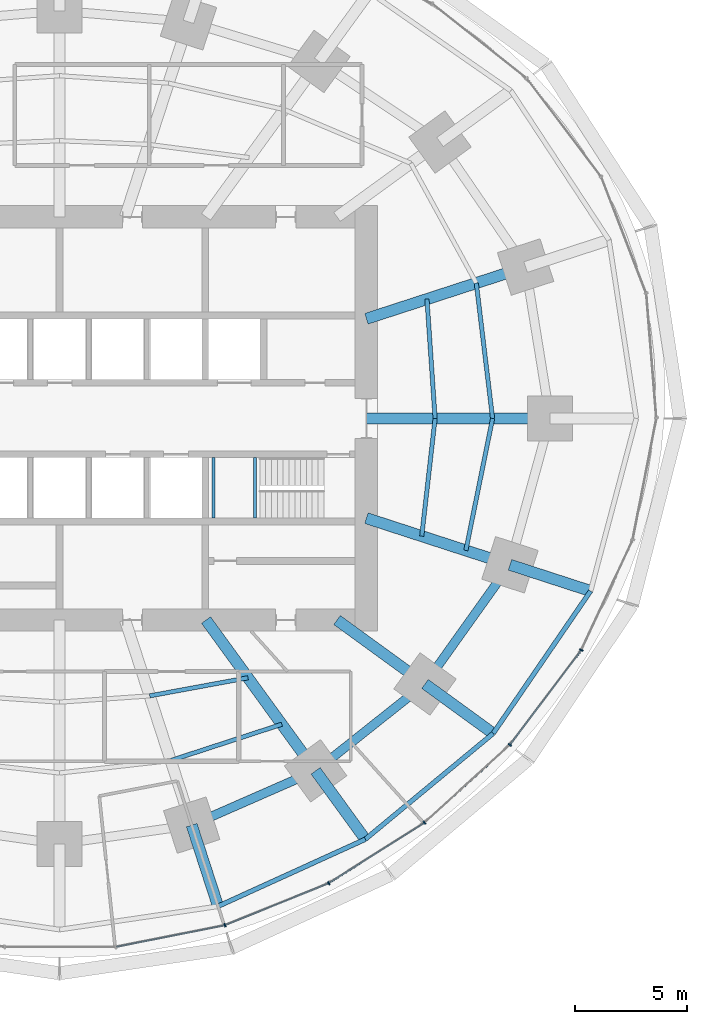
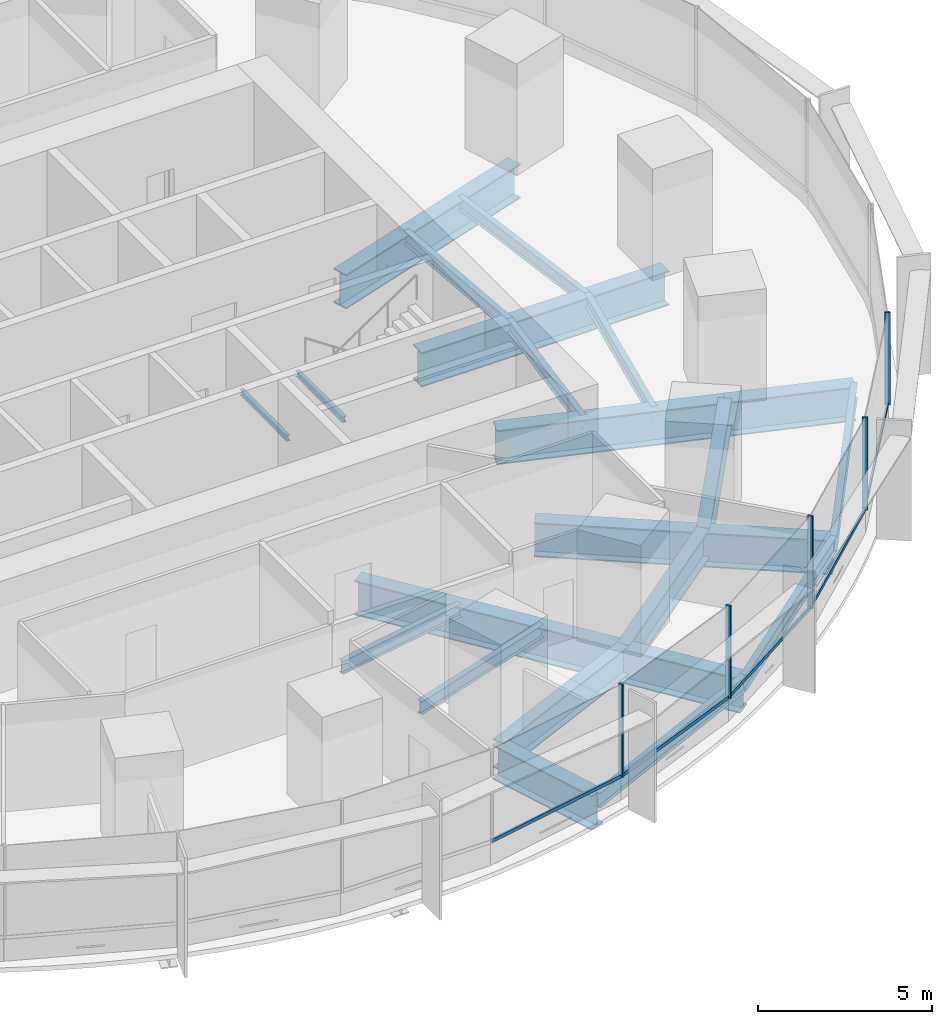
# One storey, part 5 of 15: 23 beams, 10 members, 2 elements without a shape of their own.
"""IFC4 building model written with IfcOpenShell, lengths in metres."""

from ifc_helpers import new_model, si_unit, direction, frame, origin, origin_2d, place, context, subcontext, project, spatial, rectangle, i_section, extrude, material, material_profile, profile_set, type_object, element, aggregate, save


model = new_model("IFC4")

# Units and contexts
model_context = context("Model", 3, precision=1e-05, world=origin(), true_north=direction((0.0, 1.0)))
body_context = subcontext(model_context, "Body", "Model", "MODEL_VIEW")
ifc_project = project(units=[si_unit("LENGTHUNIT", "METRE"), si_unit("AREAUNIT", "SQUARE_METRE"), si_unit("VOLUMEUNIT", "CUBIC_METRE"), si_unit("PLANEANGLEUNIT", "RADIAN"), si_unit("MASSUNIT", "GRAM", prefix="KILO")], contexts=[model_context])

# Site, building, storey
site_placement = place(None, origin())
site = spatial("IfcSite", under=ifc_project, at=site_placement, CompositionType="ELEMENT")
building_placement = place(site_placement, origin())
building = spatial("IfcBuilding", under=site, at=building_placement, Name="Marramba Exchange Tower", CompositionType="ELEMENT")
storey_placement = place(building_placement, frame((0.0, 0.0, 57.39990234375)))
storey = spatial("IfcBuildingStorey", under=building, at=storey_placement, Name="L13", CompositionType="ELEMENT", Elevation=57.39990234375)

# Beams
ifc_material_1 = material(Name="Steel AS/NZS 3679.2 grade 300", Category="steel")
ifc_material_profile_1 = material_profile(ifc_material_1, i_section(OverallWidth=0.5, OverallDepth=1.199951171875, WebThickness=0.01611328125, FlangeThickness=0.0400390625, at=origin_2d()), Name="1200WB455")
ifc_profile_set_1 = profile_set([ifc_material_profile_1], Name="Steel AS/NZS 3679.2 grade 300")
beam_type_1 = type_object("IfcBeamType", Name="Cantilever girder 1200WB455", PredefinedType="BEAM", material=ifc_profile_set_1)
beam_1_placement = place(storey_placement, frame((5.899658203125, -18.156982421875, -0.760009765625), z_axis=(0.309009272901, -0.951059025119, 0.0), x_axis=(0.951059025119, 0.309009272901, 0.0)))
element("IfcBeam", 1, at=beam_1_placement, inside=storey, type_object=beam_type_1, Name="Cantilever girder L13 TC17", PredefinedType="BEAM", context=body_context, shape_type="SweptSolid", body=[
    extrude(i_section(OverallWidth=0.5, OverallDepth=1.199951171875, WebThickness=0.01611328125, FlangeThickness=0.0400390625, at=origin_2d()), origin(), (0.0, 0.0, 1.0), 3.809814453125),
])
beam_2_placement = place(storey_placement, frame((11.430419921875, -15.732666015625, -0.760009765625), z_axis=(0.587787232741, -0.809015555491, 0.0), x_axis=(0.809015555491, 0.587787232741, 0.0)))
element("IfcBeam", 2, at=beam_2_placement, inside=storey, type_object=beam_type_1, Name="Cantilever girder L13 TC18", PredefinedType="BEAM", context=body_context, shape_type="SweptSolid", body=[
    extrude(i_section(OverallWidth=0.5, OverallDepth=1.199951171875, WebThickness=0.01611328125, FlangeThickness=0.0400390625, at=origin_2d()), origin(), (0.0, 0.0, 1.0), 3.7763671875),
])
beam_3_placement = place(storey_placement, frame((16.3154296875, -11.853759765625, -0.760009765625), z_axis=(0.809008346081, -0.587797155463, 0.0), x_axis=(0.587797155463, 0.809008346081, 0.0)))
element("IfcBeam", 3, at=beam_3_placement, inside=storey, type_object=beam_type_1, Name="Cantilever girder L13 TC19", PredefinedType="BEAM", context=body_context, shape_type="SweptSolid", body=[
    extrude(i_section(OverallWidth=0.5, OverallDepth=1.199951171875, WebThickness=0.01611328125, FlangeThickness=0.0400390625, at=origin_2d()), origin(), (0.0, 0.0, 1.0), 3.76025390625),
])
beam_4_placement = place(storey_placement, frame((20.109375, -6.533935546875, -0.760009765625), z_axis=(0.951048759501, -0.309040866314, 0.0), x_axis=(0.309040866314, 0.951048759501, 0.0)))
element("IfcBeam", 4, at=beam_4_placement, inside=storey, type_object=beam_type_1, Name="Cantilever girder L13 TC20", PredefinedType="BEAM", context=body_context, shape_type="SweptSolid", body=[
    extrude(i_section(OverallWidth=0.5, OverallDepth=1.199951171875, WebThickness=0.01611328125, FlangeThickness=0.0400390625, at=origin_2d()), origin(), (0.0, 0.0, 1.0), 3.78564453125),
])
ifc_material_2 = material(Name="Steel AS/NZS 3679.1 grade 300", Category="steel")
ifc_material_profile_2 = material_profile(ifc_material_2, i_section(OverallWidth=0.18994140625, OverallDepth=0.4541015625, WebThickness=0.008544921875, FlangeThickness=0.0126953125, FilletRadius=0.011474609375, at=origin_2d()), Name="460UB67.1")
ifc_profile_set_2 = profile_set([ifc_material_profile_2], Name="Steel AS/NZS 3679.1 grade 300")
beam_type_2 = type_object("IfcBeamType", Name="Floor joist 460UB67.1", PredefinedType="JOIST", material=ifc_profile_set_2)
beam_5_placement = place(storey_placement, frame((16.7666015625, 0.0, -0.386962890625), z_axis=(-0.068096259546, 0.99767875563, 0.0), x_axis=(-0.99767875563, -0.068096259546, 0.0)))
element("IfcBeam", 5, at=beam_5_placement, inside=storey, type_object=beam_type_2, Name="Joist L13 bay 01 row 1", PredefinedType="JOIST", context=body_context, shape_type="SweptSolid", body=[
    extrude(i_section(OverallWidth=0.18994140625, OverallDepth=0.4541015625, WebThickness=0.008544921875, FlangeThickness=0.0126953125, FilletRadius=0.011474609375, at=origin_2d()), origin(), (0.0, 0.0, 1.0), 5.342041015625),
])
beam_6_placement = place(storey_placement, frame((19.333251953125, 0.0, -0.386962890625), z_axis=(-0.119523078538, 0.992831422597, 0.0), x_axis=(-0.992831422597, -0.119523078538, 0.0)))
element("IfcBeam", 6, at=beam_6_placement, inside=storey, type_object=beam_type_2, Name="Joist L13 bay 01 row 2", PredefinedType="JOIST", context=body_context, shape_type="SweptSolid", body=[
    extrude(i_section(OverallWidth=0.18994140625, OverallDepth=0.4541015625, WebThickness=0.008544921875, FlangeThickness=0.0126953125, FilletRadius=0.011474609375, at=origin_2d()), origin(), (0.0, 0.0, 1.0), 6.089111328125),
])
beam_7_placement = place(storey_placement, frame((4.0244140625, -12.3857421875, -0.386962890625), z_axis=(0.983455754421, 0.181148500119, 0.0), x_axis=(-0.181148500119, 0.983455754421, 0.0)))
element("IfcBeam", 7, at=beam_7_placement, inside=storey, type_object=beam_type_2, Name="Joist L13 bay 17 row 1", PredefinedType="JOIST", context=body_context, shape_type="SweptSolid", body=[
    extrude(i_section(OverallWidth=0.18994140625, OverallDepth=0.4541015625, WebThickness=0.008544921875, FlangeThickness=0.0126953125, FilletRadius=0.011474609375, at=origin_2d()), origin(), (0.0, 0.0, 1.0), 4.4609375),
])
beam_8_placement = place(storey_placement, frame((4.9619140625, -15.271484375, -0.386962890625), z_axis=(0.950764024931, 0.309915744834, 0.0), x_axis=(-0.309915744834, 0.950764024931, 0.0)))
element("IfcBeam", 8, at=beam_8_placement, inside=storey, type_object=beam_type_2, Name="Joist L13 bay 17 row 2", PredefinedType="JOIST", context=body_context, shape_type="SweptSolid", body=[
    extrude(i_section(OverallWidth=0.18994140625, OverallDepth=0.4541015625, WebThickness=0.008544921875, FlangeThickness=0.0126953125, FilletRadius=0.011474609375, at=origin_2d()), origin(), (0.0, 0.0, 1.0), 5.2158203125),
])
beam_9_placement = place(storey_placement, frame((16.169677734375, -5.25390625, -0.386962890625), z_axis=(0.112888968594, 0.993607609054, 0.0), x_axis=(-0.993607609054, 0.112888968594, 0.0)))
element("IfcBeam", 9, at=beam_9_placement, inside=storey, type_object=beam_type_2, Name="Joist L13 bay 20 row 1", PredefinedType="JOIST", context=body_context, shape_type="SweptSolid", body=[
    extrude(i_section(OverallWidth=0.18994140625, OverallDepth=0.4541015625, WebThickness=0.008544921875, FlangeThickness=0.0126953125, FilletRadius=0.011474609375, at=origin_2d()), origin(), (0.0, 0.0, 1.0), 5.28759765625),
])
beam_10_placement = place(storey_placement, frame((18.1396484375, -5.893798828125, -0.386962890625), z_axis=(0.198489047047, 0.980103105904, 0.0), x_axis=(-0.980103105904, 0.198489047047, 0.0)))
element("IfcBeam", 10, at=beam_10_placement, inside=storey, type_object=beam_type_2, Name="Joist L13 bay 20 row 2", PredefinedType="JOIST", context=body_context, shape_type="SweptSolid", body=[
    extrude(i_section(OverallWidth=0.18994140625, OverallDepth=0.4541015625, WebThickness=0.008544921875, FlangeThickness=0.0126953125, FilletRadius=0.011474609375, at=origin_2d()), origin(), (0.0, 0.0, 1.0), 6.013427734375),
])
ifc_material_profile_3 = material_profile(ifc_material_1, i_section(OverallWidth=0.5, OverallDepth=1.199951171875, WebThickness=0.01611328125, FlangeThickness=0.0400390625, at=origin_2d()), Name="1200WB455")
ifc_profile_set_3 = profile_set([ifc_material_profile_3], Name="Steel AS/NZS 3679.2 grade 300")
beam_type_3 = type_object("IfcBeamType", Name="Radial girder 1200WB455", PredefinedType="BEAM", material=ifc_profile_set_3)
beam_11_placement = place(storey_placement, frame((13.699951171875, 0.0, -0.760009765625), z_axis=(1.0, 0.0, 0.0), x_axis=(0.0, 1.0, 0.0)))
element("IfcBeam", 11, at=beam_11_placement, inside=storey, type_object=beam_type_3, Name="Radial girder L13 TC01", PredefinedType="BEAM", context=body_context, shape_type="SweptSolid", body=[
    extrude(i_section(OverallWidth=0.5, OverallDepth=1.199951171875, WebThickness=0.01611328125, FlangeThickness=0.0400390625, at=origin_2d()), origin(), (0.0, 0.0, 1.0), 8.199951171875),
])
beam_12_placement = place(storey_placement, frame((13.699951171875, 4.451416015625, -0.760009765625), z_axis=(0.951059990189, 0.309006302624, 0.0), x_axis=(-0.309006302624, 0.951059990189, 0.0)))
element("IfcBeam", 12, at=beam_12_placement, inside=storey, type_object=beam_type_3, Name="Radial girder L13 TC02", PredefinedType="BEAM", context=body_context, shape_type="SweptSolid", body=[
    extrude(i_section(OverallWidth=0.5, OverallDepth=1.199951171875, WebThickness=0.01611328125, FlangeThickness=0.0400390625, at=origin_2d()), origin(), (0.0, 0.0, 1.0), 7.47412109375),
])
beam_13_placement = place(storey_placement, frame((6.538818359375, -9.0, -0.760009765625), z_axis=(0.587787877172, -0.809015087282, 0.0), x_axis=(0.809015087282, 0.587787877172, 0.0)))
element("IfcBeam", 13, at=beam_13_placement, inside=storey, type_object=beam_type_3, Name="Radial girder L13 TC18", PredefinedType="BEAM", context=body_context, shape_type="SweptSolid", body=[
    extrude(i_section(OverallWidth=0.5, OverallDepth=1.199951171875, WebThickness=0.01611328125, FlangeThickness=0.0400390625, at=origin_2d()), origin(), (0.0, 0.0, 1.0), 8.322021484375),
])
beam_14_placement = place(storey_placement, frame((12.387451171875, -9.0, -0.760009765625), z_axis=(0.809025189606, -0.58777397236, 0.0), x_axis=(0.58777397236, 0.809025189606, 0.0)))
element("IfcBeam", 14, at=beam_14_placement, inside=storey, type_object=beam_type_3, Name="Radial girder L13 TC19", PredefinedType="BEAM", context=body_context, shape_type="SweptSolid", body=[
    extrude(i_section(OverallWidth=0.5, OverallDepth=1.199951171875, WebThickness=0.01611328125, FlangeThickness=0.0400390625, at=origin_2d()), origin(), (0.0, 0.0, 1.0), 4.855224609375),
])
beam_15_placement = place(storey_placement, frame((13.699951171875, -4.451416015625, -0.760009765625), z_axis=(0.951057759669, -0.309013167637, 0.0), x_axis=(0.309013167637, 0.951057759669, 0.0)))
element("IfcBeam", 15, at=beam_15_placement, inside=storey, type_object=beam_type_3, Name="Radial girder L13 TC20", PredefinedType="BEAM", context=body_context, shape_type="SweptSolid", body=[
    extrude(i_section(OverallWidth=0.5, OverallDepth=1.199951171875, WebThickness=0.01611328125, FlangeThickness=0.0400390625, at=origin_2d()), origin(), (0.0, 0.0, 1.0), 6.7392578125),
])
ifc_material_profile_4 = material_profile(ifc_material_1, i_section(OverallWidth=0.39990234375, OverallDepth=1.0, WebThickness=0.01611328125, FlangeThickness=0.031982421875, at=origin_2d()), Name="1000WB322")
ifc_profile_set_4 = profile_set([ifc_material_profile_4], Name="Steel AS/NZS 3679.2 grade 300")
beam_type_4 = type_object("IfcBeamType", Name="Ring beam 1000WB322", PredefinedType="SPANDREL", material=ifc_profile_set_4)
beam_16_placement = place(storey_placement, frame((5.899658203125, -18.156982421875, -0.659912109375), z_axis=(0.915876892158, 0.4014592363, 0.0), x_axis=(-0.4014592363, 0.915876892158, 0.0)))
element("IfcBeam", 16, at=beam_16_placement, inside=storey, type_object=beam_type_4, Name="Ring beam L13 TC17-TC18", PredefinedType="SPANDREL", context=body_context, shape_type="SweptSolid", body=[
    extrude(i_section(OverallWidth=0.39990234375, OverallDepth=1.0, WebThickness=0.01611328125, FlangeThickness=0.031982421875, at=origin_2d()), origin(), (0.0, 0.0, 1.0), 6.038818359375),
])
beam_17_placement = place(storey_placement, frame((11.430419921875, -15.732666015625, -0.659912109375), z_axis=(0.783139438128, 0.621846138887, 0.0), x_axis=(-0.621846138887, 0.783139438128, 0.0)))
element("IfcBeam", 17, at=beam_17_placement, inside=storey, type_object=beam_type_4, Name="Ring beam L13 TC18-TC19", PredefinedType="SPANDREL", context=body_context, shape_type="SweptSolid", body=[
    extrude(i_section(OverallWidth=0.39990234375, OverallDepth=1.0, WebThickness=0.01611328125, FlangeThickness=0.031982421875, at=origin_2d()), origin(), (0.0, 0.0, 1.0), 6.23779296875),
])
beam_18_placement = place(storey_placement, frame((16.3154296875, -11.853759765625, -0.659912109375), z_axis=(0.580637181111, 0.814162430914, 0.0), x_axis=(-0.814162430914, 0.580637181111, 0.0)))
element("IfcBeam", 18, at=beam_18_placement, inside=storey, type_object=beam_type_4, Name="Ring beam L13 TC19-TC20", PredefinedType="SPANDREL", context=body_context, shape_type="SweptSolid", body=[
    extrude(i_section(OverallWidth=0.39990234375, OverallDepth=1.0, WebThickness=0.01611328125, FlangeThickness=0.031982421875, at=origin_2d()), origin(), (0.0, 0.0, 1.0), 6.5341796875),
])
ifc_material_profile_5 = material_profile(ifc_material_2, i_section(OverallWidth=0.208984375, OverallDepth=0.528076171875, WebThickness=0.009521484375, FlangeThickness=0.01318359375, FilletRadius=0.013916015625, at=origin_2d()), Name="530UB82.0")
ifc_profile_set_5 = profile_set([ifc_material_profile_5], Name="Steel AS/NZS 3679.1 grade 300")
beam_type_5 = type_object("IfcBeamType", Name="Slab edge beam 530UB82.0", PredefinedType="SPANDREL", material=ifc_profile_set_5)
beam_19_placement = place(storey_placement, frame((7.076904296875, -21.7802734375, -0.423828125), z_axis=(0.910126690081, 0.414330071324, 0.0), x_axis=(-0.414330071324, 0.910126690081, 0.0)))
element("IfcBeam", 19, at=beam_19_placement, inside=storey, type_object=beam_type_5, Name="Slab edge beam L13 TC17-TC18", PredefinedType="SPANDREL", context=body_context, shape_type="SweptSolid", body=[
    extrude(i_section(OverallWidth=0.208984375, OverallDepth=0.528076171875, WebThickness=0.009521484375, FlangeThickness=0.01318359375, FilletRadius=0.013916015625, at=origin_2d()), origin(), (0.0, 0.0, 1.0), 7.222412109375),
])
beam_20_placement = place(storey_placement, frame((13.650146484375, -18.787841796875, -0.423828125), z_axis=(0.770353575372, 0.637616945283, 0.0), x_axis=(-0.637616945283, 0.770353575372, 0.0)))
element("IfcBeam", 20, at=beam_20_placement, inside=storey, type_object=beam_type_5, Name="Slab edge beam L13 TC18-TC19", PredefinedType="SPANDREL", context=body_context, shape_type="SweptSolid", body=[
    extrude(i_section(OverallWidth=0.208984375, OverallDepth=0.528076171875, WebThickness=0.009521484375, FlangeThickness=0.01318359375, FilletRadius=0.013916015625, at=origin_2d()), origin(), (0.0, 0.0, 1.0), 7.40869140625),
])
beam_21_placement = place(storey_placement, frame((19.357421875, -14.06396484375, -0.423828125), z_axis=(0.564740697285, 0.82526840775, 0.0), x_axis=(-0.82526840775, 0.564740697285, 0.0)))
element("IfcBeam", 21, at=beam_21_placement, inside=storey, type_object=beam_type_5, Name="Slab edge beam L13 TC19-TC20", PredefinedType="SPANDREL", context=body_context, shape_type="SweptSolid", body=[
    extrude(i_section(OverallWidth=0.208984375, OverallDepth=0.528076171875, WebThickness=0.009521484375, FlangeThickness=0.01318359375, FilletRadius=0.013916015625, at=origin_2d()), origin(), (0.0, 0.0, 1.0), 7.706787109375),
])
ifc_material_profile_6 = material_profile(ifc_material_2, i_section(OverallWidth=0.133056640625, OverallDepth=0.202880859375, WebThickness=0.005859375, FlangeThickness=0.0078125, FilletRadius=0.0087890625, at=origin_2d()), Name="200UB25.4")
ifc_profile_set_6 = profile_set([ifc_material_profile_6], Name="Steel AS/NZS 3679.1 grade 300")
beam_type_6 = type_object("IfcBeamType", Name="Stair landing beam 200UB25.4", PredefinedType="BEAM", material=ifc_profile_set_6)
for number, where, z_axis, x_axis, name in (
    (22, (6.866455078125, -4.449951171875, 1.798583984375), (0.0, 1.0, 0.0), (-1.0, 0.0, 0.0), "Stair landing beam SLB1 ST2 L13 1"),
    (23, (8.723388671875, -4.449951171875, 1.798583984375), (0.0, 1.0, 0.0), (-1.0, 0.0, 0.0), "Stair landing beam SLB1 ST2 L13 2"),
):
    element("IfcBeam", number, at=place(storey_placement, frame(where, z_axis=z_axis, x_axis=x_axis)), inside=storey, type_object=beam_type_6, Name=name, PredefinedType="BEAM", context=body_context, shape_type="SweptSolid", body=[
        extrude(i_section(OverallWidth=0.133056640625, OverallDepth=0.202880859375, WebThickness=0.005859375, FlangeThickness=0.0078125, FilletRadius=0.0087890625, at=origin_2d()), origin(), (0.0, 0.0, 1.0), 2.699951171875),
    ])

# Curtain wall, member
ifc_material_3 = material(Name="Aluminium framing, bronze anodised", Category="aluminium")
curtain_wall_type = type_object("IfcCurtainWallType", Name="Trading floor ribbon curtain wall", PredefinedType="USERDEFINED", material=ifc_material_3)
curtain_wall_1_placement = place(storey_placement, origin())
curtain_wall_1 = element("IfcCurtainWall", 24, at=curtain_wall_1_placement, inside=storey, type_object=curtain_wall_type, Name="Curtain wall CW3 L13 F21-F25", ObjectType="RIBBON CURTAIN WALL", PredefinedType="USERDEFINED")
ifc_material_4 = material(Name="Aluminium mullion, bronze anodised", Category="aluminium")
ifc_material_profile_7 = material_profile(ifc_material_4, rectangle(XDim=0.159912109375, YDim=0.06005859375, at=origin_2d()), Name="CW3 mullion 60x160")
ifc_profile_set_7 = profile_set([ifc_material_profile_7], Name="Aluminium mullion, bronze anodised")
member_type_1 = type_object("IfcMemberType", Name="Trading floor ribbon curtain wall mullion", PredefinedType="MULLION", material=ifc_profile_set_7)
member_1_placement = place(storey_placement, frame((7.3828125, -22.625, 0.800048828125), z_axis=(0.0, 0.0, 1.0), x_axis=(-0.374218219325, 0.927340673283, 0.0)))
member_1 = element("IfcMember", 25, at=member_1_placement, type_object=member_type_1, Name="CW3 mullion 1", PredefinedType="MULLION", context=body_context, shape_type="SweptSolid", body=[
    extrude(rectangle(XDim=0.159912109375, YDim=0.06005859375, at=origin_2d()), origin(), (0.0, 0.0, 1.0), 3.239990234375),
])

# Curtain wall, members
curtain_wall_2_placement = place(storey_placement, origin())
curtain_wall_2 = element("IfcCurtainWall", 26, at=curtain_wall_2_placement, inside=storey, type_object=curtain_wall_type, Name="Curtain wall CW3 L13 F26-F30", ObjectType="RIBBON CURTAIN WALL", PredefinedType="USERDEFINED")
member_2_placement = place(storey_placement, frame((12.0146484375, -20.75, 0.800048828125), z_axis=(0.0, 0.0, 1.0), x_axis=(-0.533514646612, 0.845790826298, 0.0)))
member_2 = element("IfcMember", 27, at=member_2_placement, type_object=member_type_1, Name="CW3 mullion 1", PredefinedType="MULLION", context=body_context, shape_type="SweptSolid", body=[
    extrude(rectangle(XDim=0.159912109375, YDim=0.06005859375, at=origin_2d()), origin(), (0.0, 0.0, 1.0), 3.239990234375),
])
member_3_placement = place(storey_placement, frame((16.2900390625, -18.047119140625, 0.800048828125), z_axis=(0.0, 0.0, 1.0), x_axis=(-0.673058133441, 0.739589581463, 0.0)))
member_3 = element("IfcMember", 28, at=member_3_placement, type_object=member_type_1, Name="CW3 mullion 1", PredefinedType="MULLION", context=body_context, shape_type="SweptSolid", body=[
    extrude(rectangle(XDim=0.159912109375, YDim=0.06005859375, at=origin_2d()), origin(), (0.0, 0.0, 1.0), 3.239990234375),
])
member_4_placement = place(storey_placement, frame((20.103515625, -14.569091796875, 0.800048828125), z_axis=(0.0, 0.0, 1.0), x_axis=(-0.797710591138, 0.603040473588, 0.0)))
member_4 = element("IfcMember", 29, at=member_4_placement, type_object=member_type_1, Name="CW3 mullion 1", PredefinedType="MULLION", context=body_context, shape_type="SweptSolid", body=[
    extrude(rectangle(XDim=0.159912109375, YDim=0.06005859375, at=origin_2d()), origin(), (0.0, 0.0, 1.0), 3.239990234375),
])
member_5_placement = place(storey_placement, frame((23.2939453125, -10.33837890625, 0.800048828125), z_axis=(0.0, 0.0, 1.0), x_axis=(-0.905906758768, 0.423477206492, 0.0)))
member_5 = element("IfcMember", 30, at=member_5_placement, type_object=member_type_1, Name="CW3 mullion 1", PredefinedType="MULLION", context=body_context, shape_type="SweptSolid", body=[
    extrude(rectangle(XDim=0.159912109375, YDim=0.06005859375, at=origin_2d()), origin(), (0.0, 0.0, 1.0), 3.239990234375),
])

# Member
ifc_material_5 = material(Name="Aluminium transom, bronze anodised", Category="aluminium")
ifc_material_profile_8 = material_profile(ifc_material_5, rectangle(XDim=0.06005859375, YDim=0.1201171875, at=origin_2d()), Name="CW3 transom 60x120")
ifc_profile_set_8 = profile_set([ifc_material_profile_8], Name="Aluminium transom, bronze anodised")
member_type_2 = type_object("IfcMemberType", Name="Trading floor ribbon curtain wall transom", PredefinedType="USERDEFINED", material=ifc_profile_set_8)
member_6_placement = place(storey_placement, frame((2.539306640625, -23.58837890625, 0.830078125), z_axis=(0.981008707181, 0.193963698758, 0.0), x_axis=(-0.193963698758, 0.981008707181, 0.0)))
member_6 = element("IfcMember", 31, at=member_6_placement, type_object=member_type_2, Name="CW3 sill transom", ObjectType="TRANSOM", PredefinedType="USERDEFINED", context=body_context, shape_type="SweptSolid", body=[
    extrude(rectangle(XDim=0.06005859375, YDim=0.1201171875, at=origin_2d()), origin(), (0.0, 0.0, 1.0), 4.908935546875),
])

member_7_placement = place(storey_placement, frame((7.41064453125, -22.61376953125, 0.830078125), z_axis=(0.927340197166, 0.374219399176, 0.0), x_axis=(-0.374219399176, 0.927340197166, 0.0)))
member_7 = element("IfcMember", 32, at=member_7_placement, type_object=member_type_2, Name="CW3 sill transom", ObjectType="TRANSOM", PredefinedType="USERDEFINED", context=body_context, shape_type="SweptSolid", body=[
    extrude(rectangle(XDim=0.06005859375, YDim=0.1201171875, at=origin_2d()), origin(), (0.0, 0.0, 1.0), 4.937255859375),
])

aggregate(curtain_wall_1, [member_6, member_1, member_7])

member_8_placement = place(storey_placement, frame((12.0400390625, -20.734130859375, 0.830078125), z_axis=(0.845776602594, 0.533537195053, 0.0), x_axis=(-0.533537195053, 0.845776602594, 0.0)))
member_8 = element("IfcMember", 33, at=member_8_placement, type_object=member_type_2, Name="CW3 sill transom", ObjectType="TRANSOM", PredefinedType="USERDEFINED", context=body_context, shape_type="SweptSolid", body=[
    extrude(rectangle(XDim=0.06005859375, YDim=0.1201171875, at=origin_2d()), origin(), (0.0, 0.0, 1.0), 4.998779296875),
])

member_9_placement = place(storey_placement, frame((16.312255859375, -18.02685546875, 0.830078125), z_axis=(0.739582688456, 0.673065707741, 0.0), x_axis=(-0.673065707741, 0.739582688456, 0.0)))
member_9 = element("IfcMember", 34, at=member_9_placement, type_object=member_type_2, Name="CW3 sill transom", ObjectType="TRANSOM", PredefinedType="USERDEFINED", context=body_context, shape_type="SweptSolid", body=[
    extrude(rectangle(XDim=0.06005859375, YDim=0.1201171875, at=origin_2d()), origin(), (0.0, 0.0, 1.0), 5.101806640625),
])

member_10_placement = place(storey_placement, frame((20.12158203125, -14.545166015625, 0.830078125), z_axis=(0.603037409419, 0.797712907531, 0.0), x_axis=(-0.797712907531, 0.603037409419, 0.0)))
member_10 = element("IfcMember", 35, at=member_10_placement, type_object=member_type_2, Name="CW3 sill transom", ObjectType="TRANSOM", PredefinedType="USERDEFINED", context=body_context, shape_type="SweptSolid", body=[
    extrude(rectangle(XDim=0.06005859375, YDim=0.1201171875, at=origin_2d()), origin(), (0.0, 0.0, 1.0), 5.239501953125),
])

aggregate(curtain_wall_2, [member_2, member_8, member_3, member_9, member_4, member_10, member_5])

save(model, "model.ifc")
